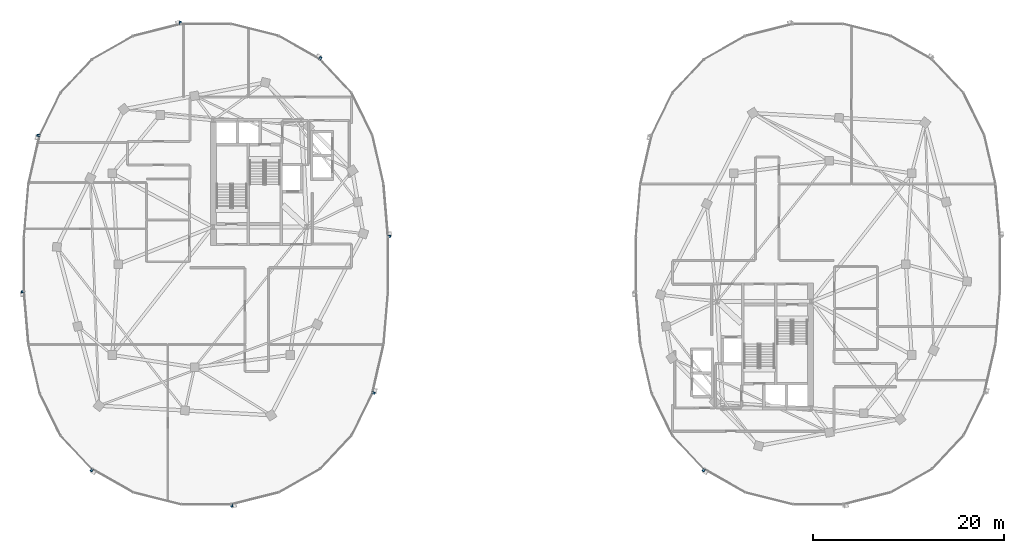
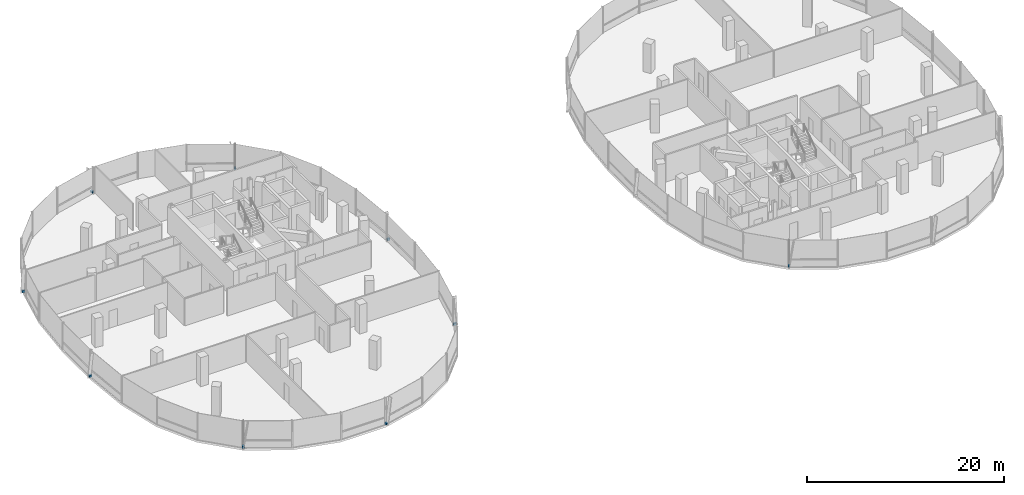
# One storey, part 19 of 25: 9 discrete accessories.
"""IFC4 building model written with IfcOpenShell, lengths in metres."""

import ifcopenshell
import ifcopenshell.guid

model = None  # the IFC model being written
_history = None  # IfcOwnerHistory: only IFC2X3 demands one
_inside = {}  # id of a spatial element -> (the spatial element, [elements in it])
_under = {}  # id of a project, library or spatial element -> (it, [spatial elements below it])
_declared = {}  # id of a project -> (the project, [libraries it declares])
_typed = {}  # id of a type object -> (the type object, [elements of that type])
_made_of = {}  # id of a material, layer set ... -> (it, [elements and type objects made of it])


def new_model(schema):
    """Start an empty IFC model of exactly this schema.

    Asked for "IFC4X3", IfcOpenShell would pick the latest addendum, in which some entities
    have other attributes; the version numbers below select the first issue.
    IFC2X3 requires an IfcOwnerHistory on every rooted entity: one is made here for all.
    """
    global model, _history
    if schema == "IFC4X3":
        model = ifcopenshell.file(schema_version=(4, 3, 0, 0))
    else:
        model = ifcopenshell.file(schema=schema)
    _inside.clear()
    _under.clear()
    _declared.clear()
    _typed.clear()
    _made_of.clear()
    _history = None
    if model.schema == "IFC2X3":
        org = make("IfcOrganization", Name="unknown")
        user = make(
            "IfcPersonAndOrganization",
            ThePerson=make("IfcPerson", FamilyName="unknown"),
            TheOrganization=org,
        )
        app = make(
            "IfcApplication",
            ApplicationDeveloper=org,
            Version="unknown",
            ApplicationFullName="unknown",
            ApplicationIdentifier="unknown",
        )
        _history = make(
            "IfcOwnerHistory",
            OwningUser=user,
            OwningApplication=app,
            ChangeAction="ADDED",
            CreationDate=0,
        )
    return model


def make(cls, **values):
    """One entity of the class cls with the attributes given. An attribute that is None is left unset."""
    return model.create_entity(
        cls, **{name: value for name, value in values.items() if value is not None}
    )


def rooted(cls, **values):
    """An entity with a GlobalId (a new one), such as an element, a storey or a relation."""
    return make(cls, GlobalId=ifcopenshell.guid.new(), OwnerHistory=_history, **values)


def si_unit(unit_type, name, prefix=None):
    """IfcSIUnit, for example si_unit("LENGTHUNIT", "METRE", prefix="MILLI")."""
    return make("IfcSIUnit", UnitType=unit_type, Prefix=prefix, Name=name)


def assignment(units):
    """IfcUnitAssignment: the units of a project."""
    return None if units is None else make("IfcUnitAssignment", Units=units)


def point(xyz):
    """IfcCartesianPoint."""
    return None if xyz is None else make("IfcCartesianPoint", Coordinates=xyz)


def direction(xyz):
    """IfcDirection."""
    return None if xyz is None else make("IfcDirection", DirectionRatios=xyz)


def frame(location, z_axis=None, x_axis=None):
    """IfcAxis2Placement3D, a coordinate frame: its origin and axes. An axis left out is left unset."""
    return make(
        "IfcAxis2Placement3D",
        Location=point(location),
        Axis=direction(z_axis),
        RefDirection=direction(x_axis),
    )


def frame_2d(location, x_axis=None):
    """IfcAxis2Placement2D, a coordinate frame in the plane: its origin and x axis."""
    return make(
        "IfcAxis2Placement2D", Location=point(location), RefDirection=direction(x_axis)
    )


def origin():
    """The frame at (0, 0, 0) with its axes left unset."""
    return frame((0.0, 0.0, 0.0))


def origin_2d():
    """The frame at (0, 0) in the plane with its x axis left unset."""
    return frame_2d((0.0, 0.0))


def place(relative_to, where):
    """IfcLocalPlacement: puts the frame where relative to a parent placement (None: the world)."""
    return make(
        "IfcLocalPlacement", PlacementRelTo=relative_to, RelativePlacement=where
    )


def context(
    kind, dimensions, precision=None, world=None, true_north=None, identifier=None
):
    """IfcGeometricRepresentationContext, for example the 3D "Model" context."""
    return make(
        "IfcGeometricRepresentationContext",
        ContextIdentifier=identifier,
        ContextType=kind,
        CoordinateSpaceDimension=dimensions,
        Precision=precision,
        WorldCoordinateSystem=world,
        TrueNorth=true_north,
    )


def subcontext(parent, identifier, kind, view, scale=None):
    """IfcGeometricRepresentationSubContext, for example "Body" below "Model"."""
    return make(
        "IfcGeometricRepresentationSubContext",
        ContextIdentifier=identifier,
        ContextType=kind,
        ParentContext=parent,
        TargetScale=scale,
        TargetView=view,
    )


def project(units=None, contexts=None):
    """IfcProject with its units and contexts."""
    return rooted(
        "IfcProject",
        Name="project",
        RepresentationContexts=contexts,
        UnitsInContext=assignment(units),
    )


def spatial(cls, under=None, at=None, **own):
    """A site, building, storey or space (cls), placed at a placement, below another one or the project."""
    s = rooted(cls, ObjectPlacement=at, **own)
    if under is not None:
        _under.setdefault(under.id(), (under, []))[1].append(s)
    return s


def profile(cls, at=None, kind="AREA", **sizes):
    """A parametric profile (cls). Its sizes go by their IFC names, for example OverallWidth=200.0."""
    return make(cls, ProfileType=kind, Position=at, **sizes)


def rectangle(**sizes):
    """IfcRectangleProfileDef."""
    return profile("IfcRectangleProfileDef", **sizes)


def extrude(swept, where, along, depth):
    """IfcExtrudedAreaSolid: the profile swept, set in the frame where, extruded along a direction by depth."""
    return make(
        "IfcExtrudedAreaSolid",
        SweptArea=swept,
        Position=where,
        ExtrudedDirection=direction(along),
        Depth=depth,
    )


def shape(context_of_items, identifier, shape_type, items):
    """IfcShapeRepresentation: the items that make up one representation, for example the "Body"."""
    return make(
        "IfcShapeRepresentation",
        ContextOfItems=context_of_items,
        RepresentationIdentifier=identifier,
        RepresentationType=shape_type,
        Items=items,
    )


def material(Name=None, Category=None):
    """IfcMaterial."""
    return make("IfcMaterial", Name=Name, Category=Category)


def made_of(thing, what):
    """Note that an element or type object is made of a material, layer set ...; save() writes the relation."""
    if what is not None:
        _made_of.setdefault(what.id(), (what, []))[1].append(thing)
    return thing


def type_object(cls, material=None, **own):
    """A type object (cls), such as IfcWallType, which elements share."""
    return made_of(rooted(cls, **own), material)


def element(
    cls,
    number,
    at=None,
    inside=None,
    cuts=None,
    type_object=None,
    material=None,
    context=None,
    identifier="Body",
    shape_type=None,
    held_by="IfcProductDefinitionShape",
    body=None,
    shapes=None,
    **own,
):
    """One element of the class cls, such as IfcWall. Its Tag is "e" and its number.

    at: its placement. inside: the storey or other place that contains it. cuts: it is an
    opening in that element (IfcRelVoidsElement). A single representation is given by context,
    identifier, shape_type and body (its items); several are given by shapes. held_by: the class
    of the entity that holds the representations. save() writes the other relations.
    """
    e = rooted(cls, Tag="e%d" % number, ObjectPlacement=at, **own)
    if body is not None:
        shapes = [shape(context, identifier, shape_type, body)]
    if shapes is not None:
        e.Representation = make(held_by, Representations=shapes)
    if inside is not None:
        _inside.setdefault(inside.id(), (inside, []))[1].append(e)
    if cuts is not None:
        rooted(
            "IfcRelVoidsElement", RelatingBuildingElement=cuts, RelatedOpeningElement=e
        )
    if type_object is not None:
        _typed.setdefault(type_object.id(), (type_object, []))[1].append(e)
    return made_of(e, material)


def aggregate(whole, parts):
    """IfcRelAggregates: a whole, such as a stair, and the parts it consists of."""
    return rooted("IfcRelAggregates", RelatingObject=whole, RelatedObjects=parts)


def save(model, path):
    """Write the relations noted so far, then the file.

    IfcRelAggregates (storeys below a building ...), IfcRelContainedInSpatialStructure (elements
    in a storey), IfcRelDefinesByType, IfcRelAssociatesMaterial and IfcRelDeclares: one each for
    every whole, place, type object, material and project.
    """
    for whole, parts in _under.values():
        aggregate(whole, parts)
    for where, things in _inside.values():
        rooted(
            "IfcRelContainedInSpatialStructure",
            RelatedElements=things,
            RelatingStructure=where,
        )
    for kind, things in _typed.values():
        rooted("IfcRelDefinesByType", RelatedObjects=things, RelatingType=kind)
    for what, things in _made_of.values():
        rooted("IfcRelAssociatesMaterial", RelatedObjects=things, RelatingMaterial=what)
    for by, libraries in _declared.values():
        rooted("IfcRelDeclares", RelatingContext=by, RelatedDefinitions=libraries)
    model.write(path)


model = new_model("IFC4")

# Units and contexts
model_context = context("Model", 3, precision=1e-05, world=origin(), true_north=direction((0.0, 1.0)))
body_context = subcontext(model_context, "Body", "Model", "MODEL_VIEW")
ifc_project = project(units=[si_unit("LENGTHUNIT", "METRE"), si_unit("AREAUNIT", "SQUARE_METRE"), si_unit("VOLUMEUNIT", "CUBIC_METRE"), si_unit("PLANEANGLEUNIT", "RADIAN"), si_unit("MASSUNIT", "GRAM", prefix="KILO"), si_unit("THERMODYNAMICTEMPERATUREUNIT", "KELVIN"), si_unit("POWERUNIT", "WATT")], contexts=[model_context])

# Site, building, storey
site_placement = place(None, origin())
site = spatial("IfcSite", under=ifc_project, at=site_placement, CompositionType="ELEMENT")
building_placement = place(site_placement, origin())
building = spatial("IfcBuilding", under=site, at=building_placement, Name="Cundina Bronze Exchange", CompositionType="ELEMENT")
storey_placement = place(building_placement, frame((0.0, 0.0, 206.199951171875)))
storey = spatial("IfcBuildingStorey", under=building, at=storey_placement, Name="L54", CompositionType="ELEMENT", Elevation=206.199951171875)

# Discrete accessories
ifc_material = material(Name="Anodised Bronze Aluminium 6063-T6", Category="aluminium")
discrete_accessory_type = type_object("IfcDiscreteAccessoryType", Name="ACC-BRK-FIN", PredefinedType="BRACKET", material=ifc_material)
for number, where, z_axis, x_axis, name in (
    (1, (-12.84521484375, 2.893798828125, 0.10009765625), (0.0, 0.0, 1.0), (-0.083747411454, 0.996487015006, 0.0), "L54 Fin Support Bracket 1"),
    (2, (-20.038818359375, 21.539794921875, 0.10009765625), (0.0, 0.0, 1.0), (-0.869572506985, 0.493805280547, 0.0), "L54 Fin Support Bracket 5"),
    (3, (-34.678955078125, 25.23779296875, 0.10009765625), (0.0, 0.0, 1.0), (-0.969731542251, -0.244173577528, 0.0), "L54 Fin Support Bracket 1"),
    (4, (-49.529541015625, 13.468505859375, 0.10009765625), (0.0, 0.0, 1.0), (-0.223284141459, -0.974753400698, 0.0), "L54 Fin Support Bracket 5"),
    (5, (-51.15478515625, -2.893798828125, 0.10009765625), (0.0, 0.0, 1.0), (0.083747411454, -0.996487015006, 0.0), "L54 Fin Support Bracket 1"),
    (6, (-43.961181640625, -21.539794921875, 0.10009765625), (0.0, 0.0, 1.0), (0.869572506985, -0.493805280547, 0.0), "L54 Fin Support Bracket 5"),
    (7, (-29.321044921875, -25.23779296875, 0.10009765625), (0.0, 0.0, 1.0), (0.969731542251, 0.244173577528, 0.0), "L54 Fin Support Bracket 1"),
    (8, (-14.470458984375, -13.468505859375, 0.10009765625), (0.0, 0.0, 1.0), (0.223284141459, 0.974753400698, 0.0), "L54 Fin Support Bracket 5"),
    (9, (20.038818359375, -21.539794921875, 0.10009765625), (0.0, 0.0, 1.0), (0.869572506985, -0.493805280547, 0.0), "L54 Fin Support Bracket 5"),
):
    element("IfcDiscreteAccessory", number, at=place(storey_placement, frame(where, z_axis=z_axis, x_axis=x_axis)), inside=storey, type_object=discrete_accessory_type, Name=name, PredefinedType="BRACKET", context=body_context, shape_type="SweptSolid", body=[
        extrude(rectangle(XDim=0.219970703125, YDim=0.320068359375, at=origin_2d()), origin(), (0.0, 0.0, 1.0), 0.239990234375),
    ])

save(model, "model.ifc")
